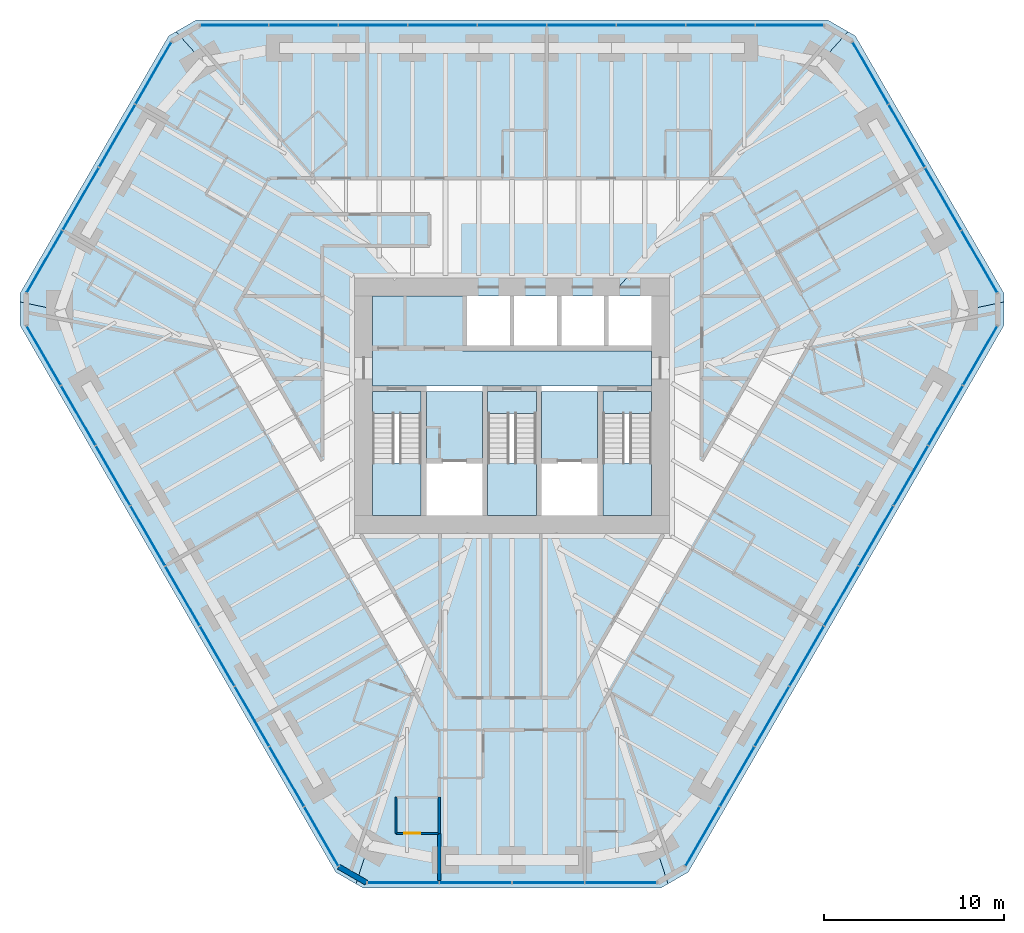
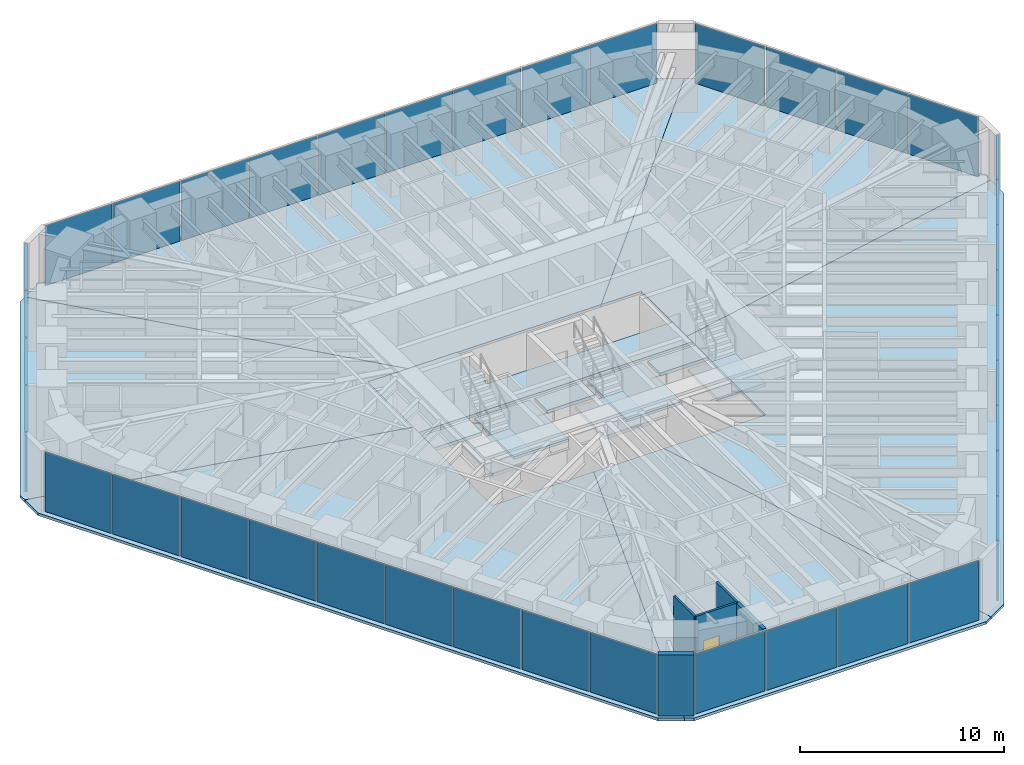
# One storey, part 10 of 16: 39 plates, 15 slabs, 5 walls, 1 door, 1 opening, 9 elements without a shape of their own.
"""IFC4 building model written with IfcOpenShell, lengths in metres."""

from ifc_helpers import new_model, si_unit, direction, frame, frame_2d, origin, origin_2d, place, context, subcontext, project, spatial, polyline, rectangle, outline, extrude, material, layer, layer_set, type_object, element, fill, aggregate, save


model = new_model("IFC4")

# Units and contexts
model_context = context("Model", 3, precision=1e-05, world=origin(), true_north=direction((0.0, 1.0)))
body_context = subcontext(model_context, "Body", "Model", "MODEL_VIEW")
ifc_project = project(units=[si_unit("LENGTHUNIT", "METRE"), si_unit("AREAUNIT", "SQUARE_METRE"), si_unit("VOLUMEUNIT", "CUBIC_METRE"), si_unit("PLANEANGLEUNIT", "RADIAN"), si_unit("MASSUNIT", "GRAM", prefix="KILO")], contexts=[model_context])

# Site, building, storey
site_placement = place(None, origin())
site = spatial("IfcSite", under=ifc_project, at=site_placement, CompositionType="ELEMENT")
building_placement = place(site_placement, origin())
building = spatial("IfcBuilding", under=site, at=building_placement, Name="Sandreach Pilgrim Tower", CompositionType="ELEMENT")
storey_placement = place(building_placement, frame((0.0, 0.0, 209.800048828125)))
storey = spatial("IfcBuildingStorey", under=building, at=storey_placement, Name="L52", CompositionType="ELEMENT", Elevation=209.800048828125)

# Curtain wall, plates
ifc_material_1 = material(Name="Aluminium framed curtain wall", Category="aluminium")
curtain_wall_type = type_object("IfcCurtainWallType", Name="Upper hotel tower curtain wall", PredefinedType="NOTDEFINED", material=ifc_material_1)
curtain_wall_1_placement = place(storey_placement, origin())
curtain_wall_1 = element("IfcCurtainWall", 1, at=curtain_wall_1_placement, inside=storey, type_object=curtain_wall_type, Name="CW-3 L52 N", PredefinedType="NOTDEFINED")
ifc_material_2 = material(Name="Insulating glass unit 12.76 laminated + 20 argon + 12.76 laminated", Category="glass")
ifc_layer_1 = layer(ifc_material_2, 0.0458984375)
ifc_layer_set_1 = layer_set([ifc_layer_1], Name="CW-3 panel")
plate_type = type_object("IfcPlateType", Name="CW-3 panel", PredefinedType="CURTAIN_PANEL", material=ifc_layer_set_1)
plate_1_placement = place(storey_placement, frame((-15.44140625, 21.16015625, 0.0), z_axis=(0.0, 0.0, 1.0), x_axis=(1.0, 0.0, 0.0)))
plate_1 = element("IfcPlate", 2, at=plate_1_placement, type_object=plate_type, Name="CW-3 panel 1", PredefinedType="CURTAIN_PANEL", context=body_context, shape_type="SweptSolid", body=[
    extrude(rectangle(XDim=3.766845703125, YDim=0.0458984375, at=origin_2d()), origin(), (0.0, 0.0, 1.0), 3.570068359375),
])
plate_2_placement = place(storey_placement, frame((-11.59326171875, 21.16015625, 0.0), z_axis=(0.0, 0.0, 1.0), x_axis=(1.0, 0.0, 0.0)))
plate_2 = element("IfcPlate", 3, at=plate_2_placement, type_object=plate_type, Name="CW-3 panel 2", PredefinedType="CURTAIN_PANEL", context=body_context, shape_type="SweptSolid", body=[
    extrude(rectangle(XDim=3.79931640625, YDim=0.0458984375, at=origin_2d()), origin(), (0.0, 0.0, 1.0), 3.570068359375),
])
plate_3_placement = place(storey_placement, frame((-7.728759765625, 21.16015625, 0.0), z_axis=(0.0, 0.0, 1.0), x_axis=(1.0, 0.0, 0.0)))
plate_3 = element("IfcPlate", 4, at=plate_3_placement, type_object=plate_type, Name="CW-3 panel 3", PredefinedType="CURTAIN_PANEL", context=body_context, shape_type="SweptSolid", body=[
    extrude(rectangle(XDim=3.79931640625, YDim=0.0458984375, at=origin_2d()), origin(), (0.0, 0.0, 1.0), 3.570068359375),
])
plate_4_placement = place(storey_placement, frame((-3.864501953125, 21.16015625, 0.0), z_axis=(0.0, 0.0, 1.0), x_axis=(1.0, 0.0, 0.0)))
plate_4 = element("IfcPlate", 5, at=plate_4_placement, type_object=plate_type, Name="CW-3 panel 4", PredefinedType="CURTAIN_PANEL", context=body_context, shape_type="SweptSolid", body=[
    extrude(rectangle(XDim=3.79931640625, YDim=0.0458984375, at=origin_2d()), origin(), (0.0, 0.0, 1.0), 3.570068359375),
])
plate_5_placement = place(storey_placement, frame((0.0, 21.16015625, 0.0), z_axis=(0.0, 0.0, 1.0), x_axis=(1.0, 0.0, 0.0)))
plate_5 = element("IfcPlate", 6, at=plate_5_placement, type_object=plate_type, Name="CW-3 panel 5", PredefinedType="CURTAIN_PANEL", context=body_context, shape_type="SweptSolid", body=[
    extrude(rectangle(XDim=3.79931640625, YDim=0.0458984375, at=origin_2d()), origin(), (0.0, 0.0, 1.0), 3.570068359375),
])
plate_6_placement = place(storey_placement, frame((3.864501953125, 21.16015625, 0.0), z_axis=(0.0, 0.0, 1.0), x_axis=(1.0, 0.0, 0.0)))
plate_6 = element("IfcPlate", 7, at=plate_6_placement, type_object=plate_type, Name="CW-3 panel 6", PredefinedType="CURTAIN_PANEL", context=body_context, shape_type="SweptSolid", body=[
    extrude(rectangle(XDim=3.79931640625, YDim=0.0458984375, at=origin_2d()), origin(), (0.0, 0.0, 1.0), 3.570068359375),
])
plate_7_placement = place(storey_placement, frame((7.728759765625, 21.16015625, 0.0), z_axis=(0.0, 0.0, 1.0), x_axis=(1.0, 0.0, 0.0)))
plate_7 = element("IfcPlate", 8, at=plate_7_placement, type_object=plate_type, Name="CW-3 panel 7", PredefinedType="CURTAIN_PANEL", context=body_context, shape_type="SweptSolid", body=[
    extrude(rectangle(XDim=3.79931640625, YDim=0.0458984375, at=origin_2d()), origin(), (0.0, 0.0, 1.0), 3.570068359375),
])
plate_8_placement = place(storey_placement, frame((11.59326171875, 21.16015625, 0.0), z_axis=(0.0, 0.0, 1.0), x_axis=(1.0, 0.0, 0.0)))
plate_8 = element("IfcPlate", 9, at=plate_8_placement, type_object=plate_type, Name="CW-3 panel 8", PredefinedType="CURTAIN_PANEL", context=body_context, shape_type="SweptSolid", body=[
    extrude(rectangle(XDim=3.79931640625, YDim=0.0458984375, at=origin_2d()), origin(), (0.0, 0.0, 1.0), 3.570068359375),
])
plate_9_placement = place(storey_placement, frame((15.44140625, 21.16015625, 0.0), z_axis=(0.0, 0.0, 1.0), x_axis=(1.0, 0.0, 0.0)))
plate_9 = element("IfcPlate", 10, at=plate_9_placement, type_object=plate_type, Name="CW-3 panel 9", PredefinedType="CURTAIN_PANEL", context=body_context, shape_type="SweptSolid", body=[
    extrude(rectangle(XDim=3.766845703125, YDim=0.0458984375, at=origin_2d()), origin(), (0.0, 0.0, 1.0), 3.570068359375),
])
aggregate(curtain_wall_1, [plate_1, plate_2, plate_3, plate_4, plate_5, plate_6, plate_7, plate_8, plate_9])

curtain_wall_2_placement = place(storey_placement, origin())
curtain_wall_2 = element("IfcCurtainWall", 11, at=curtain_wall_2_placement, inside=storey, type_object=curtain_wall_type, Name="CW-3 L52 NE", PredefinedType="NOTDEFINED")
plate_10_placement = place(storey_placement, frame((19.943115234375, 18.5078125, 0.0), z_axis=(0.0, 0.0, 1.0), x_axis=(0.5, -0.866025403784, 0.0)))
plate_10 = element("IfcPlate", 12, at=plate_10_placement, type_object=plate_type, Name="CW-3 panel 1", PredefinedType="CURTAIN_PANEL", context=body_context, shape_type="SweptSolid", body=[
    extrude(rectangle(XDim=3.951171875, YDim=0.0458984375, at=origin_2d()), origin(), (0.0, 0.0, 1.0), 3.570068359375),
])
plate_11_placement = place(storey_placement, frame((21.959228515625, 15.015625, 0.0), z_axis=(0.0, 0.0, 1.0), x_axis=(0.5, -0.866025403784, 0.0)))
plate_11 = element("IfcPlate", 13, at=plate_11_placement, type_object=plate_type, Name="CW-3 panel 2", PredefinedType="CURTAIN_PANEL", context=body_context, shape_type="SweptSolid", body=[
    extrude(rectangle(XDim=3.983642578125, YDim=0.0458984375, at=origin_2d()), origin(), (0.0, 0.0, 1.0), 3.570068359375),
])
plate_12_placement = place(storey_placement, frame((23.983642578125, 11.509521484375, 0.0), z_axis=(0.0, 0.0, 1.0), x_axis=(0.5, -0.866025403784, 0.0)))
plate_12 = element("IfcPlate", 14, at=plate_12_placement, type_object=plate_type, Name="CW-3 panel 3", PredefinedType="CURTAIN_PANEL", context=body_context, shape_type="SweptSolid", body=[
    extrude(rectangle(XDim=3.983642578125, YDim=0.0458984375, at=origin_2d()), origin(), (0.0, 0.0, 1.0), 3.570068359375),
])
plate_13_placement = place(storey_placement, frame((25.999755859375, 8.017333984375, 0.0), z_axis=(0.0, 0.0, 1.0), x_axis=(0.5, -0.866025403784, 0.0)))
plate_13 = element("IfcPlate", 15, at=plate_13_placement, type_object=plate_type, Name="CW-3 panel 4", PredefinedType="CURTAIN_PANEL", context=body_context, shape_type="SweptSolid", body=[
    extrude(rectangle(XDim=3.951171875, YDim=0.0458984375, at=origin_2d()), origin(), (0.0, 0.0, 1.0), 3.570068359375),
])
aggregate(curtain_wall_2, [plate_10, plate_11, plate_12, plate_13])

curtain_wall_3_placement = place(storey_placement, origin())
curtain_wall_3 = element("IfcCurtainWall", 16, at=curtain_wall_3_placement, inside=storey, type_object=curtain_wall_type, Name="CW-3 L52 SE", PredefinedType="NOTDEFINED")
plate_14_placement = place(storey_placement, frame((26.0458984375, 2.792724609375, 0.0), z_axis=(0.0, 0.0, 1.0), x_axis=(-0.5, -0.866025403784, 0.0)))
plate_14 = element("IfcPlate", 17, at=plate_14_placement, type_object=plate_type, Name="CW-3 panel 1", PredefinedType="CURTAIN_PANEL", context=body_context, shape_type="SweptSolid", body=[
    extrude(rectangle(XDim=3.766845703125, YDim=0.0458984375, at=origin_2d()), origin(), (0.0, 0.0, 1.0), 3.570068359375),
])
plate_15_placement = place(storey_placement, frame((24.121826171875, -0.5400390625, 0.0), z_axis=(0.0, 0.0, 1.0), x_axis=(-0.5, -0.866025403784, 0.0)))
plate_15 = element("IfcPlate", 18, at=plate_15_placement, type_object=plate_type, Name="CW-3 panel 2", PredefinedType="CURTAIN_PANEL", context=body_context, shape_type="SweptSolid", body=[
    extrude(rectangle(XDim=3.79931640625, YDim=0.0458984375, at=origin_2d()), origin(), (0.0, 0.0, 1.0), 3.570068359375),
])
plate_16_placement = place(storey_placement, frame((22.189697265625, -3.88671875, 0.0), z_axis=(0.0, 0.0, 1.0), x_axis=(-0.5, -0.866025403784, 0.0)))
plate_16 = element("IfcPlate", 19, at=plate_16_placement, type_object=plate_type, Name="CW-3 panel 3", PredefinedType="CURTAIN_PANEL", context=body_context, shape_type="SweptSolid", body=[
    extrude(rectangle(XDim=3.79931640625, YDim=0.0458984375, at=origin_2d()), origin(), (0.0, 0.0, 1.0), 3.570068359375),
])
plate_17_placement = place(storey_placement, frame((20.25732421875, -7.2333984375, 0.0), z_axis=(0.0, 0.0, 1.0), x_axis=(-0.5, -0.866025403784, 0.0)))
plate_17 = element("IfcPlate", 20, at=plate_17_placement, type_object=plate_type, Name="CW-3 panel 4", PredefinedType="CURTAIN_PANEL", context=body_context, shape_type="SweptSolid", body=[
    extrude(rectangle(XDim=3.79931640625, YDim=0.0458984375, at=origin_2d()), origin(), (0.0, 0.0, 1.0), 3.570068359375),
])
plate_18_placement = place(storey_placement, frame((18.3251953125, -10.580078125, 0.0), z_axis=(0.0, 0.0, 1.0), x_axis=(-0.5, -0.866025403784, 0.0)))
plate_18 = element("IfcPlate", 21, at=plate_18_placement, type_object=plate_type, Name="CW-3 panel 5", PredefinedType="CURTAIN_PANEL", context=body_context, shape_type="SweptSolid", body=[
    extrude(rectangle(XDim=3.79931640625, YDim=0.0458984375, at=origin_2d()), origin(), (0.0, 0.0, 1.0), 3.570068359375),
])
plate_19_placement = place(storey_placement, frame((16.39306640625, -13.9267578125, 0.0), z_axis=(0.0, 0.0, 1.0), x_axis=(-0.5, -0.866025403784, 0.0)))
plate_19 = element("IfcPlate", 22, at=plate_19_placement, type_object=plate_type, Name="CW-3 panel 6", PredefinedType="CURTAIN_PANEL", context=body_context, shape_type="SweptSolid", body=[
    extrude(rectangle(XDim=3.79931640625, YDim=0.0458984375, at=origin_2d()), origin(), (0.0, 0.0, 1.0), 3.570068359375),
])
plate_20_placement = place(storey_placement, frame((14.460693359375, -17.2734375, 0.0), z_axis=(0.0, 0.0, 1.0), x_axis=(-0.5, -0.866025403784, 0.0)))
plate_20 = element("IfcPlate", 23, at=plate_20_placement, type_object=plate_type, Name="CW-3 panel 7", PredefinedType="CURTAIN_PANEL", context=body_context, shape_type="SweptSolid", body=[
    extrude(rectangle(XDim=3.79931640625, YDim=0.0458984375, at=origin_2d()), origin(), (0.0, 0.0, 1.0), 3.570068359375),
])
plate_21_placement = place(storey_placement, frame((12.528564453125, -20.6201171875, 0.0), z_axis=(0.0, 0.0, 1.0), x_axis=(-0.5, -0.866025403784, 0.0)))
plate_21 = element("IfcPlate", 24, at=plate_21_placement, type_object=plate_type, Name="CW-3 panel 8", PredefinedType="CURTAIN_PANEL", context=body_context, shape_type="SweptSolid", body=[
    extrude(rectangle(XDim=3.79931640625, YDim=0.0458984375, at=origin_2d()), origin(), (0.0, 0.0, 1.0), 3.570068359375),
])
plate_22_placement = place(storey_placement, frame((10.6044921875, -23.95263671875, 0.0), z_axis=(0.0, 0.0, 1.0), x_axis=(-0.5, -0.866025403784, 0.0)))
plate_22 = element("IfcPlate", 25, at=plate_22_placement, type_object=plate_type, Name="CW-3 panel 9", PredefinedType="CURTAIN_PANEL", context=body_context, shape_type="SweptSolid", body=[
    extrude(rectangle(XDim=3.766845703125, YDim=0.0458984375, at=origin_2d()), origin(), (0.0, 0.0, 1.0), 3.570068359375),
])
aggregate(curtain_wall_3, [plate_14, plate_15, plate_16, plate_17, plate_18, plate_19, plate_20, plate_21, plate_22])

curtain_wall_4_placement = place(storey_placement, origin())
curtain_wall_4 = element("IfcCurtainWall", 26, at=curtain_wall_4_placement, inside=storey, type_object=curtain_wall_type, Name="CW-3 L52 S", PredefinedType="NOTDEFINED")
plate_23_placement = place(storey_placement, frame((6.056884765625, -26.525146484375, 0.0), z_axis=(0.0, 0.0, 1.0), x_axis=(-1.0, 0.0, 0.0)))
plate_23 = element("IfcPlate", 27, at=plate_23_placement, type_object=plate_type, Name="CW-3 panel 1", PredefinedType="CURTAIN_PANEL", context=body_context, shape_type="SweptSolid", body=[
    extrude(rectangle(XDim=3.951171875, YDim=0.0458984375, at=origin_2d()), origin(), (0.0, 0.0, 1.0), 3.570068359375),
])
plate_24_placement = place(storey_placement, frame((2.0244140625, -26.525146484375, 0.0), z_axis=(0.0, 0.0, 1.0), x_axis=(-1.0, 0.0, 0.0)))
plate_24 = element("IfcPlate", 28, at=plate_24_placement, type_object=plate_type, Name="CW-3 panel 2", PredefinedType="CURTAIN_PANEL", context=body_context, shape_type="SweptSolid", body=[
    extrude(rectangle(XDim=3.983642578125, YDim=0.0458984375, at=origin_2d()), origin(), (0.0, 0.0, 1.0), 3.570068359375),
])
plate_25_placement = place(storey_placement, frame((-2.0244140625, -26.525146484375, 0.0), z_axis=(0.0, 0.0, 1.0), x_axis=(-1.0, 0.0, 0.0)))
plate_25 = element("IfcPlate", 29, at=plate_25_placement, type_object=plate_type, Name="CW-3 panel 3", PredefinedType="CURTAIN_PANEL", context=body_context, shape_type="SweptSolid", body=[
    extrude(rectangle(XDim=3.983642578125, YDim=0.0458984375, at=origin_2d()), origin(), (0.0, 0.0, 1.0), 3.570068359375),
])
plate_26_placement = place(storey_placement, frame((-6.056884765625, -26.525146484375, 0.0), z_axis=(0.0, 0.0, 1.0), x_axis=(-1.0, 0.0, 0.0)))
plate_26 = element("IfcPlate", 30, at=plate_26_placement, type_object=plate_type, Name="CW-3 panel 4", PredefinedType="CURTAIN_PANEL", context=body_context, shape_type="SweptSolid", body=[
    extrude(rectangle(XDim=3.951171875, YDim=0.0458984375, at=origin_2d()), origin(), (0.0, 0.0, 1.0), 3.570068359375),
])
aggregate(curtain_wall_4, [plate_23, plate_24, plate_25, plate_26])

curtain_wall_5_placement = place(storey_placement, origin())
curtain_wall_5 = element("IfcCurtainWall", 31, at=curtain_wall_5_placement, inside=storey, type_object=curtain_wall_type, Name="CW-3 L52 SW", PredefinedType="NOTDEFINED")
plate_27_placement = place(storey_placement, frame((-10.6044921875, -23.95263671875, 0.0), z_axis=(0.0, 0.0, 1.0), x_axis=(-0.5, 0.866025403784, 0.0)))
plate_27 = element("IfcPlate", 32, at=plate_27_placement, type_object=plate_type, Name="CW-3 panel 1", PredefinedType="CURTAIN_PANEL", context=body_context, shape_type="SweptSolid", body=[
    extrude(rectangle(XDim=3.766845703125, YDim=0.0458984375, at=origin_2d()), origin(), (0.0, 0.0, 1.0), 3.570068359375),
])
plate_28_placement = place(storey_placement, frame((-12.528564453125, -20.6201171875, 0.0), z_axis=(0.0, 0.0, 1.0), x_axis=(-0.5, 0.866025403784, 0.0)))
plate_28 = element("IfcPlate", 33, at=plate_28_placement, type_object=plate_type, Name="CW-3 panel 2", PredefinedType="CURTAIN_PANEL", context=body_context, shape_type="SweptSolid", body=[
    extrude(rectangle(XDim=3.79931640625, YDim=0.0458984375, at=origin_2d()), origin(), (0.0, 0.0, 1.0), 3.570068359375),
])
plate_29_placement = place(storey_placement, frame((-14.460693359375, -17.2734375, 0.0), z_axis=(0.0, 0.0, 1.0), x_axis=(-0.5, 0.866025403784, 0.0)))
plate_29 = element("IfcPlate", 34, at=plate_29_placement, type_object=plate_type, Name="CW-3 panel 3", PredefinedType="CURTAIN_PANEL", context=body_context, shape_type="SweptSolid", body=[
    extrude(rectangle(XDim=3.79931640625, YDim=0.0458984375, at=origin_2d()), origin(), (0.0, 0.0, 1.0), 3.570068359375),
])
plate_30_placement = place(storey_placement, frame((-16.39306640625, -13.9267578125, 0.0), z_axis=(0.0, 0.0, 1.0), x_axis=(-0.5, 0.866025403784, 0.0)))
plate_30 = element("IfcPlate", 35, at=plate_30_placement, type_object=plate_type, Name="CW-3 panel 4", PredefinedType="CURTAIN_PANEL", context=body_context, shape_type="SweptSolid", body=[
    extrude(rectangle(XDim=3.79931640625, YDim=0.0458984375, at=origin_2d()), origin(), (0.0, 0.0, 1.0), 3.570068359375),
])
plate_31_placement = place(storey_placement, frame((-18.3251953125, -10.580078125, 0.0), z_axis=(0.0, 0.0, 1.0), x_axis=(-0.5, 0.866025403784, 0.0)))
plate_31 = element("IfcPlate", 36, at=plate_31_placement, type_object=plate_type, Name="CW-3 panel 5", PredefinedType="CURTAIN_PANEL", context=body_context, shape_type="SweptSolid", body=[
    extrude(rectangle(XDim=3.79931640625, YDim=0.0458984375, at=origin_2d()), origin(), (0.0, 0.0, 1.0), 3.570068359375),
])
plate_32_placement = place(storey_placement, frame((-20.25732421875, -7.2333984375, 0.0), z_axis=(0.0, 0.0, 1.0), x_axis=(-0.5, 0.866025403784, 0.0)))
plate_32 = element("IfcPlate", 37, at=plate_32_placement, type_object=plate_type, Name="CW-3 panel 6", PredefinedType="CURTAIN_PANEL", context=body_context, shape_type="SweptSolid", body=[
    extrude(rectangle(XDim=3.79931640625, YDim=0.0458984375, at=origin_2d()), origin(), (0.0, 0.0, 1.0), 3.570068359375),
])
plate_33_placement = place(storey_placement, frame((-22.189697265625, -3.88671875, 0.0), z_axis=(0.0, 0.0, 1.0), x_axis=(-0.5, 0.866025403784, 0.0)))
plate_33 = element("IfcPlate", 38, at=plate_33_placement, type_object=plate_type, Name="CW-3 panel 7", PredefinedType="CURTAIN_PANEL", context=body_context, shape_type="SweptSolid", body=[
    extrude(rectangle(XDim=3.79931640625, YDim=0.0458984375, at=origin_2d()), origin(), (0.0, 0.0, 1.0), 3.570068359375),
])
plate_34_placement = place(storey_placement, frame((-24.121826171875, -0.5400390625, 0.0), z_axis=(0.0, 0.0, 1.0), x_axis=(-0.5, 0.866025403784, 0.0)))
plate_34 = element("IfcPlate", 39, at=plate_34_placement, type_object=plate_type, Name="CW-3 panel 8", PredefinedType="CURTAIN_PANEL", context=body_context, shape_type="SweptSolid", body=[
    extrude(rectangle(XDim=3.79931640625, YDim=0.0458984375, at=origin_2d()), origin(), (0.0, 0.0, 1.0), 3.570068359375),
])
plate_35_placement = place(storey_placement, frame((-26.0458984375, 2.792724609375, 0.0), z_axis=(0.0, 0.0, 1.0), x_axis=(-0.5, 0.866025403784, 0.0)))
plate_35 = element("IfcPlate", 40, at=plate_35_placement, type_object=plate_type, Name="CW-3 panel 9", PredefinedType="CURTAIN_PANEL", context=body_context, shape_type="SweptSolid", body=[
    extrude(rectangle(XDim=3.766845703125, YDim=0.0458984375, at=origin_2d()), origin(), (0.0, 0.0, 1.0), 3.570068359375),
])
aggregate(curtain_wall_5, [plate_27, plate_28, plate_29, plate_30, plate_31, plate_32, plate_33, plate_34, plate_35])

curtain_wall_6_placement = place(storey_placement, origin())
curtain_wall_6 = element("IfcCurtainWall", 41, at=curtain_wall_6_placement, inside=storey, type_object=curtain_wall_type, Name="CW-3 L52 NW", PredefinedType="NOTDEFINED")
plate_36_placement = place(storey_placement, frame((-25.999755859375, 8.017333984375, 0.0), z_axis=(0.0, 0.0, 1.0), x_axis=(0.5, 0.866025403784, 0.0)))
plate_36 = element("IfcPlate", 42, at=plate_36_placement, type_object=plate_type, Name="CW-3 panel 1", PredefinedType="CURTAIN_PANEL", context=body_context, shape_type="SweptSolid", body=[
    extrude(rectangle(XDim=3.951171875, YDim=0.0458984375, at=origin_2d()), origin(), (0.0, 0.0, 1.0), 3.570068359375),
])
plate_37_placement = place(storey_placement, frame((-23.983642578125, 11.509521484375, 0.0), z_axis=(0.0, 0.0, 1.0), x_axis=(0.5, 0.866025403784, 0.0)))
plate_37 = element("IfcPlate", 43, at=plate_37_placement, type_object=plate_type, Name="CW-3 panel 2", PredefinedType="CURTAIN_PANEL", context=body_context, shape_type="SweptSolid", body=[
    extrude(rectangle(XDim=3.983642578125, YDim=0.0458984375, at=origin_2d()), origin(), (0.0, 0.0, 1.0), 3.570068359375),
])
plate_38_placement = place(storey_placement, frame((-21.959228515625, 15.015625, 0.0), z_axis=(0.0, 0.0, 1.0), x_axis=(0.5, 0.866025403784, 0.0)))
plate_38 = element("IfcPlate", 44, at=plate_38_placement, type_object=plate_type, Name="CW-3 panel 3", PredefinedType="CURTAIN_PANEL", context=body_context, shape_type="SweptSolid", body=[
    extrude(rectangle(XDim=3.983642578125, YDim=0.0458984375, at=origin_2d()), origin(), (0.0, 0.0, 1.0), 3.570068359375),
])
plate_39_placement = place(storey_placement, frame((-19.943115234375, 18.5078125, 0.0), z_axis=(0.0, 0.0, 1.0), x_axis=(0.5, 0.866025403784, 0.0)))
plate_39 = element("IfcPlate", 45, at=plate_39_placement, type_object=plate_type, Name="CW-3 panel 4", PredefinedType="CURTAIN_PANEL", context=body_context, shape_type="SweptSolid", body=[
    extrude(rectangle(XDim=3.951171875, YDim=0.0458984375, at=origin_2d()), origin(), (0.0, 0.0, 1.0), 3.570068359375),
])
aggregate(curtain_wall_6, [plate_36, plate_37, plate_38, plate_39])

# Slabs
ifc_material_3 = material(Name="Concrete 8000 psi", Category="concrete")
ifc_layer_2 = layer(ifc_material_3, 0.159912109375)
ifc_layer_set_2 = layer_set([ifc_layer_2], Name="Composite floor slab 160")
slab_type_1 = type_object("IfcSlabType", Name="Composite floor slab 160", PredefinedType="FLOOR", material=ifc_layer_set_2)
slab_1_placement = place(storey_placement, frame((0.0, 0.0, -0.16015625)))
element("IfcSlab", 46, at=slab_1_placement, inside=storey, type_object=slab_type_1, Name="Floor slab L52 N sector", PredefinedType="FLOOR", context=body_context, shape_type="SweptSolid", body=[
    extrude(outline(polyline([(-17.56298828125, 21.460205078125), (17.56298828125, 21.460205078125), (18.68701171875, 20.81103515625), (5.477294921875, 6.10009765625), (-5.477294921875, 6.10009765625), (-18.68701171875, 20.81103515625), (-17.56298828125, 21.460205078125)])), origin(), (0.0, 0.0, 1.0), 0.16015625),
])
slab_2_placement = place(storey_placement, frame((0.0, 0.0, -0.16015625)))
element("IfcSlab", 47, at=slab_2_placement, inside=storey, type_object=slab_type_1, Name="Floor slab L52 NE sector", PredefinedType="FLOOR", context=body_context, shape_type="SweptSolid", body=[
    extrude(outline(polyline([(19.095947265625, 20.5751953125), (27.366455078125, 6.25), (27.366455078125, 5.778076171875), (7.75, 1.63623046875), (7.75, 6.10009765625), (5.477294921875, 6.10009765625), (18.68701171875, 20.81103515625), (19.095947265625, 20.5751953125)])), origin(), (0.0, 0.0, 1.0), 0.16015625),
])
slab_3_placement = place(storey_placement, frame((0.0, 0.0, -0.16015625)))
element("IfcSlab", 48, at=slab_3_placement, inside=storey, type_object=slab_type_1, Name="Floor slab L52 SE sector", PredefinedType="FLOOR", context=body_context, shape_type="SweptSolid", body=[
    extrude(outline(polyline([(27.366455078125, 4.47998046875), (9.803466796875, -25.940185546875), (8.679443359375, -26.589111328125), (1.9912109375, -6.10009765625), (7.75, -6.10009765625), (7.75, 1.63623046875), (27.366455078125, 5.778076171875), (27.366455078125, 4.47998046875)])), origin(), (0.0, 0.0, 1.0), 0.16015625),
])
slab_4_placement = place(storey_placement, frame((0.0, 0.0, -0.16015625)))
element("IfcSlab", 49, at=slab_4_placement, inside=storey, type_object=slab_type_1, Name="Floor slab L52 S sector", PredefinedType="FLOOR", context=body_context, shape_type="SweptSolid", body=[
    extrude(outline(polyline([(8.2705078125, -26.8251953125), (-8.2705078125, -26.8251953125), (-8.679443359375, -26.589111328125), (-1.9912109375, -6.10009765625), (1.9912109375, -6.10009765625), (8.679443359375, -26.589111328125), (8.2705078125, -26.8251953125)])), origin(), (0.0, 0.0, 1.0), 0.16015625),
])
slab_5_placement = place(storey_placement, frame((0.0, 0.0, -0.16015625)))
element("IfcSlab", 50, at=slab_5_placement, inside=storey, type_object=slab_type_1, Name="Floor slab L52 SW sector", PredefinedType="FLOOR", context=body_context, shape_type="SweptSolid", body=[
    extrude(outline(polyline([(-9.803466796875, -25.940185546875), (-27.366455078125, 4.47998046875), (-27.366455078125, 5.778076171875), (-7.75, 1.63623046875), (-7.75, -6.10009765625), (-1.9912109375, -6.10009765625), (-8.679443359375, -26.589111328125), (-9.803466796875, -25.940185546875)])), origin(), (0.0, 0.0, 1.0), 0.16015625),
])
slab_6_placement = place(storey_placement, frame((0.0, 0.0, -0.16015625)))
element("IfcSlab", 51, at=slab_6_placement, inside=storey, type_object=slab_type_1, Name="Floor slab L52 NW sector", PredefinedType="FLOOR", context=body_context, shape_type="SweptSolid", body=[
    extrude(outline(polyline([(-27.366455078125, 6.25), (-19.095947265625, 20.5751953125), (-18.68701171875, 20.81103515625), (-5.477294921875, 6.10009765625), (-7.75, 6.10009765625), (-7.75, 1.63623046875), (-27.366455078125, 5.778076171875), (-27.366455078125, 6.25)])), origin(), (0.0, 0.0, 1.0), 0.16015625),
])
slab_7_placement = place(storey_placement, frame((0.0, 0.0, -0.16015625)))
element("IfcSlab", 52, at=slab_7_placement, inside=storey, type_object=slab_type_1, Name="Core floor slab and stores L52", PredefinedType="FLOOR", context=body_context, shape_type="SweptSolid", body=[
    extrude(outline(polyline([(-2.75, 3.35009765625), (-2.75, 3.050048828125), (-0.125, 3.050048828125), (0.125, 3.050048828125), (2.5, 3.050048828125), (2.75, 3.050048828125), (5.125, 3.050048828125), (5.375, 3.050048828125), (7.75, 3.050048828125), (7.75, 1.10009765625), (5.050048828125, 1.10009765625), (4.75, 1.10009765625), (1.64990234375, 1.10009765625), (1.35009765625, 1.10009765625), (-1.35009765625, 1.10009765625), (-1.64990234375, 1.10009765625), (-4.75, 1.10009765625), (-5.050048828125, 1.10009765625), (-7.75, 1.10009765625), (-7.75, 6.10009765625), (-2.64990234375, 6.10009765625), (-2.64990234375, 3.35009765625), (-2.75, 3.35009765625)])), origin(), (0.0, 0.0, 1.0), 0.16015625),
])
slab_8_placement = place(storey_placement, frame((0.0, 0.0, -0.16015625)))
element("IfcSlab", 53, at=slab_8_placement, inside=storey, type_object=slab_type_1, Name="Core floor slab and stores L52 2", PredefinedType="FLOOR", context=body_context, shape_type="SweptSolid", body=[
    extrude(outline(polyline([(-1.64990234375, -3.050048828125), (-4.75, -3.050048828125), (-4.75, 0.800048828125), (-1.64990234375, 0.800048828125), (-1.64990234375, -3.050048828125)])), origin(), (0.0, 0.0, 1.0), 0.16015625),
])
slab_9_placement = place(storey_placement, frame((0.0, 0.0, -0.16015625)))
element("IfcSlab", 54, at=slab_9_placement, inside=storey, type_object=slab_type_1, Name="Core floor slab and stores L52 3", PredefinedType="FLOOR", context=body_context, shape_type="SweptSolid", body=[
    extrude(outline(polyline([(4.75, -3.050048828125), (1.64990234375, -3.050048828125), (1.64990234375, 0.800048828125), (4.75, 0.800048828125), (4.75, -3.050048828125)])), origin(), (0.0, 0.0, 1.0), 0.16015625),
])

# Stair, slabs
ifc_material_4 = material(Name="Concrete 8000 psi", Category="concrete")
stair_type = type_object("IfcStairType", Name="Core exit stair", PredefinedType="HALF_TURN_STAIR", material=ifc_material_4)
stair_1_placement = place(storey_placement, origin())
stair_1 = element("IfcStair", 55, at=stair_1_placement, inside=storey, type_object=stair_type, Name="Exit stair ST1 L52", PredefinedType="HALF_TURN_STAIR")
ifc_material_5 = material(Name="Concrete 8000 psi", Category="concrete")
ifc_layer_3 = layer(ifc_material_5, 0.199951171875)
ifc_layer_set_3 = layer_set([ifc_layer_3], Name="Core stair landing 200")
slab_type_2 = type_object("IfcSlabType", Name="Core stair landing 200", PredefinedType="LANDING", material=ifc_layer_set_3)
slab_10_placement = place(storey_placement, frame((0.0, 0.0, -0.199951171875)))
slab_10 = element("IfcSlab", 56, at=slab_10_placement, type_object=slab_type_2, Name="ST1 landing 1", PredefinedType="LANDING", context=body_context, shape_type="SweptSolid", body=[
    extrude(outline(polyline([(-7.75, -0.425048828125), (-5.050048828125, -0.425048828125), (-5.050048828125, 0.800048828125), (-7.75, 0.800048828125), (-7.75, -0.425048828125)])), origin(), (0.0, 0.0, 1.0), 0.199951171875),
])
slab_11_placement = place(storey_placement, frame((0.0, 0.0, 1.699951171875)))
slab_11 = element("IfcSlab", 57, at=slab_11_placement, type_object=slab_type_2, Name="ST1 landing 2", PredefinedType="LANDING", context=body_context, shape_type="SweptSolid", body=[
    extrude(outline(polyline([(-7.75, -6.10009765625), (-5.050048828125, -6.10009765625), (-5.050048828125, -3.175048828125), (-7.75, -3.175048828125), (-7.75, -6.10009765625)])), origin(), (0.0, 0.0, 1.0), 0.199951171875),
])
aggregate(stair_1, [slab_10, slab_11])

stair_2_placement = place(storey_placement, origin())
stair_2 = element("IfcStair", 58, at=stair_2_placement, inside=storey, type_object=stair_type, Name="Exit stair ST3 L52", PredefinedType="HALF_TURN_STAIR")
slab_12_placement = place(storey_placement, frame((0.0, 0.0, -0.199951171875)))
slab_12 = element("IfcSlab", 59, at=slab_12_placement, type_object=slab_type_2, Name="ST3 landing 1", PredefinedType="LANDING", context=body_context, shape_type="SweptSolid", body=[
    extrude(outline(polyline([(-1.35009765625, -0.425048828125), (1.35009765625, -0.425048828125), (1.35009765625, 0.800048828125), (-1.35009765625, 0.800048828125), (-1.35009765625, -0.425048828125)])), origin(), (0.0, 0.0, 1.0), 0.199951171875),
])
slab_13_placement = place(storey_placement, frame((0.0, 0.0, 1.699951171875)))
slab_13 = element("IfcSlab", 60, at=slab_13_placement, type_object=slab_type_2, Name="ST3 landing 2", PredefinedType="LANDING", context=body_context, shape_type="SweptSolid", body=[
    extrude(outline(polyline([(-1.35009765625, -6.10009765625), (1.35009765625, -6.10009765625), (1.35009765625, -3.175048828125), (-1.35009765625, -3.175048828125), (-1.35009765625, -6.10009765625)])), origin(), (0.0, 0.0, 1.0), 0.199951171875),
])
aggregate(stair_2, [slab_12, slab_13])

stair_3_placement = place(storey_placement, origin())
stair_3 = element("IfcStair", 61, at=stair_3_placement, inside=storey, type_object=stair_type, Name="Exit stair ST2 L52", PredefinedType="HALF_TURN_STAIR")
slab_14_placement = place(storey_placement, frame((0.0, 0.0, -0.199951171875)))
slab_14 = element("IfcSlab", 62, at=slab_14_placement, type_object=slab_type_2, Name="ST2 landing 1", PredefinedType="LANDING", context=body_context, shape_type="SweptSolid", body=[
    extrude(outline(polyline([(5.050048828125, -0.425048828125), (7.75, -0.425048828125), (7.75, 0.800048828125), (5.050048828125, 0.800048828125), (5.050048828125, -0.425048828125)])), origin(), (0.0, 0.0, 1.0), 0.199951171875),
])
slab_15_placement = place(storey_placement, frame((0.0, 0.0, 1.699951171875)))
slab_15 = element("IfcSlab", 63, at=slab_15_placement, type_object=slab_type_2, Name="ST2 landing 2", PredefinedType="LANDING", context=body_context, shape_type="SweptSolid", body=[
    extrude(outline(polyline([(5.050048828125, -6.10009765625), (7.75, -6.10009765625), (7.75, -3.175048828125), (5.050048828125, -3.175048828125), (5.050048828125, -6.10009765625)])), origin(), (0.0, 0.0, 1.0), 0.199951171875),
])
aggregate(stair_3, [slab_14, slab_15])

# Wall, opening, door
ifc_material_6 = material(Name="Moisture-resistant gypsum board on steel studs", Category="steel")
ifc_layer_4 = layer(ifc_material_6, 0.1201171875)
ifc_layer_set_4 = layer_set([ifc_layer_4], Name="Bathroom partition 120")
wall_type_1 = type_object("IfcWallType", Name="Bathroom partition 120", PredefinedType="PARTITIONING", material=ifc_layer_set_4)
wall_1_placement = place(storey_placement, frame((-6.449951171875, -23.780029296875, 0.0), z_axis=(0.0, 0.0, 1.0), x_axis=(1.0, 0.0, 0.0)))
wall_1 = element("IfcWall", 64, at=wall_1_placement, inside=storey, type_object=wall_type_1, Name="Bathroom partition L52-057", PredefinedType="PARTITIONING", context=body_context, shape_type="SweptSolid", body=[
    extrude(rectangle(XDim=2.39990234375, YDim=0.1201171875, at=frame_2d((1.199951171875, 0.0))), origin(), (0.0, 0.0, 1.0), 3.639892578125),
])
opening_placement = place(wall_1_placement, frame((0.449951171875, 0.0, 0.0)))
opening = element("IfcOpeningElement", 65, at=opening_placement, cuts=wall_1, Name="Opening D09-11B", PredefinedType="OPENING", context=body_context, shape_type="SweptSolid", body=[
    extrude(rectangle(XDim=0.89990234375, YDim=2.030029296875, at=frame_2d((0.449951171875, 1.01513671875))), frame((0.0, 0.06005859375, 0.0), z_axis=(0.0, -1.0, 0.0), x_axis=(1.0, 0.0, 0.0)), (0.0, 0.0, 1.0), 0.1201171875),
])
ifc_material_7 = material(Name="Timber door, steel frame", Category="steel")
door_type = type_object("IfcDoorType", Name="Bathroom door", OperationType="SINGLE_SWING_LEFT", PredefinedType="DOOR", material=ifc_material_7)
door_placement = place(opening_placement, origin())
door = element("IfcDoor", 66, at=door_placement, inside=storey, type_object=door_type, Name="Door 5211B", OperationType="SINGLE_SWING_LEFT", OverallHeight=2.030029296875, OverallWidth=0.89990234375, PredefinedType="DOOR", context=body_context, shape_type="SweptSolid", body=[
    extrude(rectangle(XDim=0.89990234375, YDim=2.030029296875, at=frame_2d((0.449951171875, 1.01513671875))), frame((0.0, 0.02490234375, 0.0), z_axis=(0.0, -1.0, 0.0), x_axis=(1.0, 0.0, 0.0)), (0.0, 0.0, 1.0), 0.050048828125),
])
fill(opening, door)

# Walls
for number, where, z_axis, x_axis, name in (
    (67, (-6.449951171875, -21.77001953125, 0.0), (0.0, 0.0, 1.0), (0.0, -1.0, 0.0), "Bathroom partition L52-058"),
    (68, (-4.050048828125, -23.780029296875, 0.0), (0.0, 0.0, 1.0), (0.0, 1.0, 0.0), "Bathroom partition L52-067"),
):
    element("IfcWall", number, at=place(storey_placement, frame(where, z_axis=z_axis, x_axis=x_axis)), inside=storey, type_object=wall_type_1, Name=name, PredefinedType="PARTITIONING", context=body_context, shape_type="SweptSolid", body=[
        extrude(rectangle(XDim=2.010009765625, YDim=0.1201171875, at=frame_2d((1.0048828125, 0.0))), origin(), (0.0, 0.0, 1.0), 3.639892578125),
    ])
ifc_material_8 = material(Name="Double steel stud acoustic wall, gypsum board", Category="steel")
ifc_layer_5 = layer(ifc_material_8, 0.199951171875)
ifc_layer_set_5 = layer_set([ifc_layer_5], Name="Party wall 200")
wall_type_2 = type_object("IfcWallType", Name="Party wall 200", PredefinedType="PARTITIONING", material=ifc_layer_set_5)
wall_2_placement = place(storey_placement, frame((-4.050048828125, -26.409912109375, 0.0), z_axis=(0.0, 0.0, 1.0), x_axis=(0.0, 1.0, 0.0)))
element("IfcWall", 69, at=wall_2_placement, inside=storey, type_object=wall_type_2, Name="Party wall L52-066", PredefinedType="PARTITIONING", context=body_context, shape_type="SweptSolid", body=[
    extrude(rectangle(XDim=2.6298828125, YDim=0.199951171875, at=frame_2d((1.31494140625, 0.0))), origin(), (0.0, 0.0, 1.0), 3.639892578125),
])
ifc_material_9 = material(Name="Terracotta rainscreen on concrete", Category="masonry")
ifc_layer_6 = layer(ifc_material_9, 0.300048828125)
ifc_layer_set_6 = layer_set([ifc_layer_6], Name="Terracotta chamfer pier")
wall_type_3 = type_object("IfcWallType", Name="Terracotta chamfer pier", PredefinedType="SOLIDWALL", material=ifc_layer_set_6)
wall_3_placement = place(storey_placement, frame((-8.097412109375, -26.525146484375, 0.0), z_axis=(0.0, 0.0, 1.0), x_axis=(-0.866036293601, 0.499981137809, 0.0)))
element("IfcWall", 70, at=wall_3_placement, inside=storey, type_object=wall_type_3, Name="Chamfer pier L52 S", PredefinedType="SOLIDWALL", context=body_context, shape_type="SweptSolid", body=[
    extrude(rectangle(XDim=1.77001953125, YDim=0.300048828125, at=frame_2d((0.885009765625, 0.0))), origin(), (0.0, 0.0, 1.0), 3.639892578125),
])

save(model, "model.ifc")
